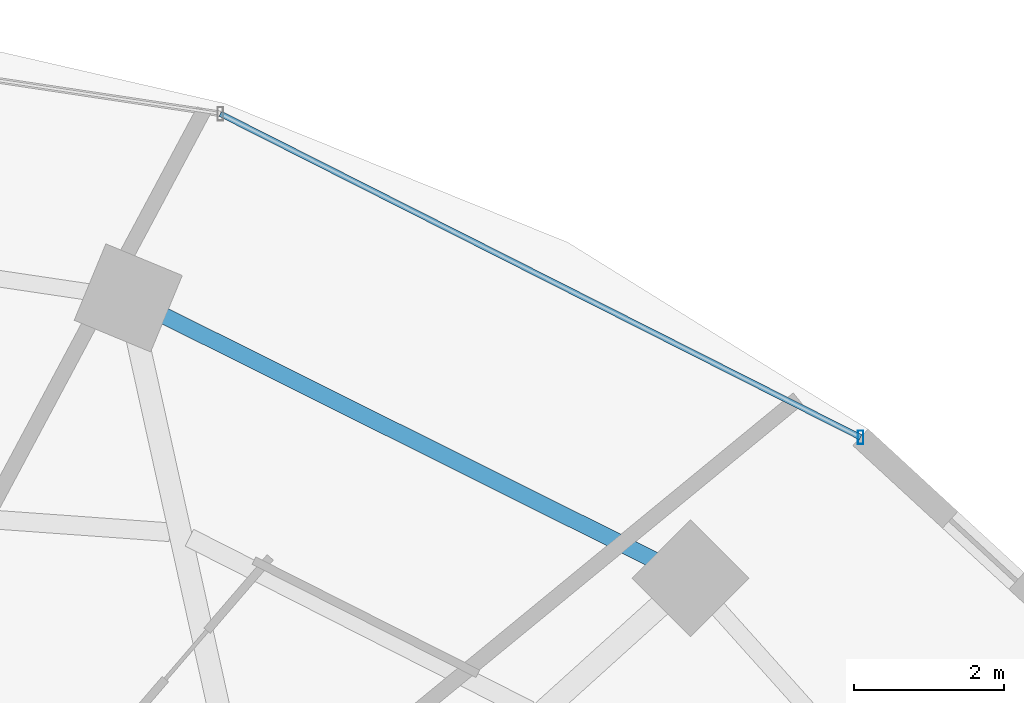
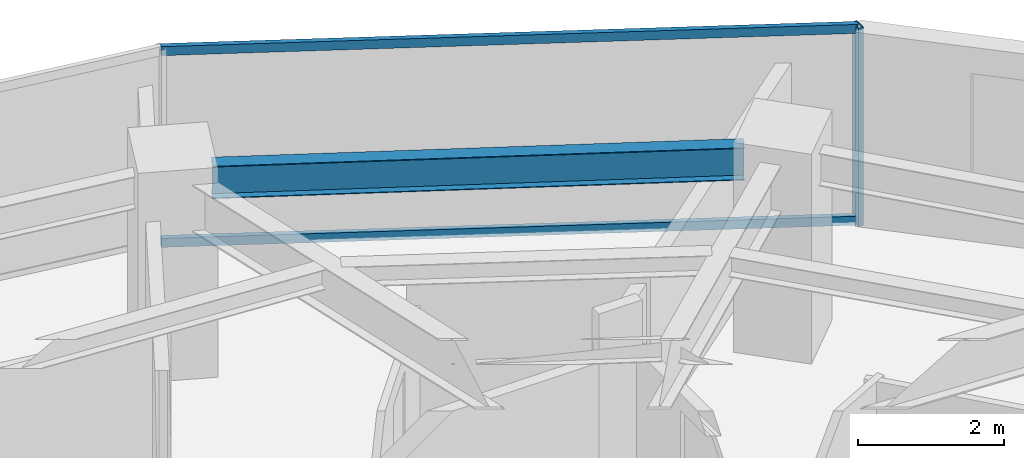
# One storey, part 19 of 29: 3 members, 1 beam, 1 element without a shape of its own.
"""IFC4 building model written with IfcOpenShell, lengths in metres."""

from ifc_helpers import new_model, si_unit, direction, frame, origin, origin_2d, place, context, subcontext, project, spatial, hollow_rectangle, i_section, extrude, material, material_profile, profile_set, type_object, element, aggregate, save


model = new_model("IFC4")

# Units and contexts
model_context = context("Model", 3, precision=1e-05, world=origin(), true_north=direction((0.0, 1.0)))
body_context = subcontext(model_context, "Body", "Model", "MODEL_VIEW")
ifc_project = project(units=[si_unit("LENGTHUNIT", "METRE"), si_unit("AREAUNIT", "SQUARE_METRE"), si_unit("VOLUMEUNIT", "CUBIC_METRE"), si_unit("PLANEANGLEUNIT", "RADIAN"), si_unit("MASSUNIT", "GRAM", prefix="KILO")], contexts=[model_context])

# Site, building, storey
site_placement = place(None, origin())
site = spatial("IfcSite", under=ifc_project, at=site_placement, CompositionType="ELEMENT")
building_placement = place(site_placement, origin())
building = spatial("IfcBuilding", under=site, at=building_placement, Name="Vorneva Point Tower", CompositionType="ELEMENT")
storey_placement = place(building_placement, frame((0.0, 0.0, 113.800048828125)))
storey = spatial("IfcBuildingStorey", under=building, at=storey_placement, Name="L30", CompositionType="ELEMENT", Elevation=113.800048828125)

# Beam
ifc_material_1 = material(Name="Steel S355", Category="steel")
ifc_material_profile_1 = material_profile(ifc_material_1, i_section(OverallWidth=0.219970703125, OverallDepth=0.54296875, WebThickness=0.009521484375, FlangeThickness=0.013427734375, at=origin_2d()), Name="55B1")
ifc_profile_set_1 = profile_set([ifc_material_profile_1], Name="Steel S355")
beam_type = type_object("IfcBeamType", Name="BM-SPN-55B1", PredefinedType="SPANDREL", material=ifc_profile_set_1)
beam_placement = place(storey_placement, frame((53.820068359375, 38.40087890625, 2.968505859375), z_axis=(-0.894915882304, 0.446234874926, 0.0), x_axis=(-0.446234874926, -0.894915882304, 0.0)))
element("IfcBeam", 1, at=beam_placement, inside=storey, type_object=beam_type, Name="L30 Perimeter Spandrel Ring Beam 03", PredefinedType="SPANDREL", context=body_context, shape_type="SweptSolid", body=[
    extrude(i_section(OverallWidth=0.219970703125, OverallDepth=0.54296875, WebThickness=0.009521484375, FlangeThickness=0.013427734375, at=origin_2d()), origin(), (0.0, 0.0, 1.0), 7.285888671875),
])

# Curtain wall, members
ifc_material_2 = material(Name="Pale anodised aluminium", Category="aluminium")
curtain_wall_type = type_object("IfcCurtainWallType", Name="CW-HTL-SYS", PredefinedType="NOTDEFINED", material=ifc_material_2)
curtain_wall_placement = place(storey_placement, origin())
curtain_wall = element("IfcCurtainWall", 2, at=curtain_wall_placement, inside=storey, type_object=curtain_wall_type, Name="L30 Unitised Curtain Wall CW-L30-R02", PredefinedType="NOTDEFINED")
ifc_material_profile_2 = material_profile(ifc_material_2, hollow_rectangle(XDim=0.074951171875, YDim=0.179931640625, WallThickness=0.00390625, at=origin_2d()), Name="AL-MUL 180x75x4")
ifc_profile_set_2 = profile_set([ifc_material_profile_2], Name="Pale anodised aluminium")
member_type_1 = type_object("IfcMemberType", Name="CW-MUL-180", PredefinedType="MULLION", material=ifc_profile_set_2)
member_1_placement = place(storey_placement, frame((56.5615234375, 40.0361328125, -0.0400390625), z_axis=(0.0, 0.0, 1.0), x_axis=(1.0, 0.0, 0.0)))
member_1 = element("IfcMember", 3, at=member_1_placement, type_object=member_type_1, Name="CW-L30-R02 Mullion 01", PredefinedType="MULLION", context=body_context, shape_type="SweptSolid", body=[
    extrude(hollow_rectangle(XDim=0.074951171875, YDim=0.179931640625, WallThickness=0.00390625, at=origin_2d()), origin(), (0.0, 0.0, 1.0), 3.31005859375),
])
ifc_material_profile_3 = material_profile(ifc_material_2, hollow_rectangle(XDim=0.074951171875, YDim=0.14990234375, WallThickness=0.00390625, at=origin_2d()), Name="AL-TRN 150x75x4")
ifc_profile_set_3 = profile_set([ifc_material_profile_3], Name="Pale anodised aluminium")
member_type_2 = type_object("IfcMemberType", Name="CW-TRN-150", PredefinedType="USERDEFINED", material=ifc_profile_set_3)
member_2_placement = place(storey_placement, frame((56.5615234375, 40.0361328125, 0.02001953125), z_axis=(-0.892536035732, 0.450976080207, 0.0), x_axis=(-0.450976080207, -0.892536035732, 0.0)))
member_2 = element("IfcMember", 4, at=member_2_placement, type_object=member_type_2, Name="CW-L30-R02 Transom 01.1", ObjectType="TRANSOM", PredefinedType="USERDEFINED", context=body_context, shape_type="SweptSolid", body=[
    extrude(hollow_rectangle(XDim=0.074951171875, YDim=0.14990234375, WallThickness=0.00390625, at=origin_2d()), origin(), (0.0, 0.0, 1.0), 9.54150390625),
])
member_3_placement = place(storey_placement, frame((56.5615234375, 40.0361328125, 3.219970703125), z_axis=(-0.892536035732, 0.450976080207, 0.0), x_axis=(-0.450976080207, -0.892536035732, 0.0)))
member_3 = element("IfcMember", 5, at=member_3_placement, type_object=member_type_2, Name="CW-L30-R02 Transom 01.2", ObjectType="TRANSOM", PredefinedType="USERDEFINED", context=body_context, shape_type="SweptSolid", body=[
    extrude(hollow_rectangle(XDim=0.074951171875, YDim=0.14990234375, WallThickness=0.00390625, at=origin_2d()), origin(), (0.0, 0.0, 1.0), 9.54150390625),
])
aggregate(curtain_wall, [member_1, member_2, member_3])

save(model, "model.ifc")
